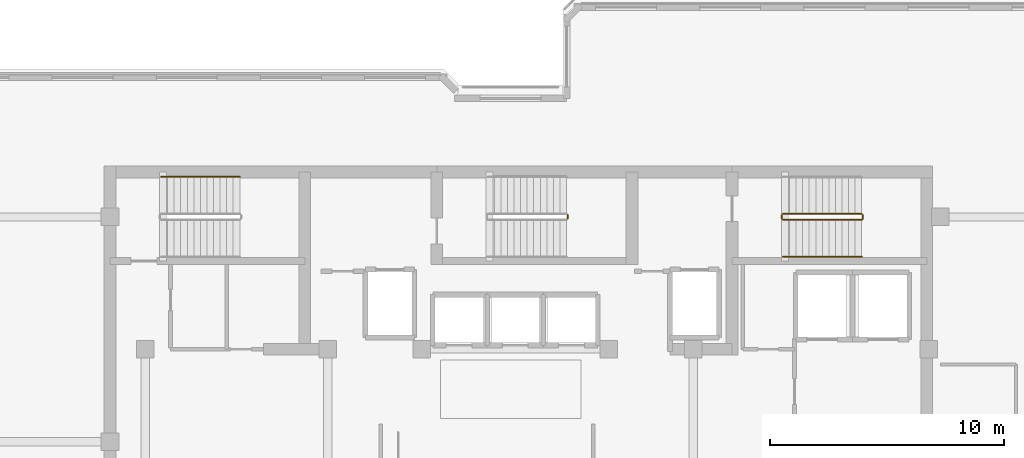
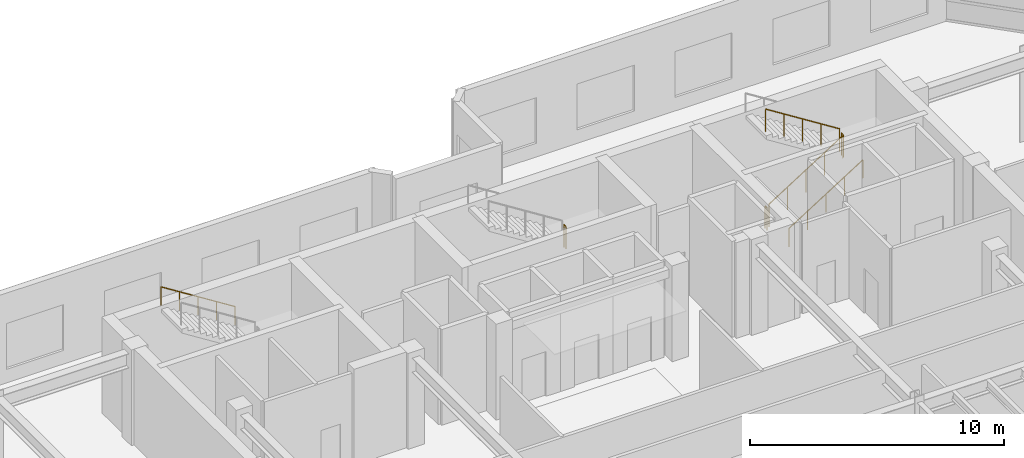
# One storey, part 13 of 14: 7 railings.
"""IFC4 building model written with IfcOpenShell, lengths in metres."""

from ifc_helpers import new_model, si_unit, direction, frame, origin, origin_2d, place, context, subcontext, project, spatial, circle, extrude, material, type_object, element, save


model = new_model("IFC4")

# Units and contexts
model_context = context("Model", 3, precision=1e-05, world=origin(), true_north=direction((0.0, 1.0)))
body_context = subcontext(model_context, "Body", "Model", "MODEL_VIEW")
ifc_project = project(units=[si_unit("LENGTHUNIT", "METRE"), si_unit("AREAUNIT", "SQUARE_METRE"), si_unit("VOLUMEUNIT", "CUBIC_METRE"), si_unit("PLANEANGLEUNIT", "RADIAN"), si_unit("MASSUNIT", "GRAM", prefix="KILO")], contexts=[model_context])

# Site, building, storey
site_placement = place(None, origin())
site = spatial("IfcSite", under=ifc_project, at=site_placement, CompositionType="ELEMENT")
building_placement = place(site_placement, origin())
building = spatial("IfcBuilding", under=site, at=building_placement, Name="Kestravale Grand Hotel", CompositionType="ELEMENT")
storey_placement = place(building_placement, frame((0.0, 0.0, 297.39990234375)))
storey = spatial("IfcBuildingStorey", under=building, at=storey_placement, Name="L74", CompositionType="ELEMENT", Elevation=297.39990234375)

# Railings
ifc_material_1 = material(Name="Painted tubular steel stair well guard", Category="steel")
railing_type_1 = type_object("IfcRailingType", Name="RL-ST-GRD1100", PredefinedType="GUARDRAIL", material=ifc_material_1)
railing_1_placement = place(storey_placement, frame((41.43994140625, 38.330078125, 2.300048828125)))
element("IfcRailing", 1, at=railing_1_placement, inside=storey, type_object=railing_type_1, Name="L74 ST-2 stair guard 2", PredefinedType="GUARDRAIL", context=body_context, shape_type="SweptSolid", body=[
    extrude(circle(Radius=0.02392578125, at=origin_2d()), frame((0.0, 0.0, 1.076171875), z_axis=(0.0, 1.0, 0.0), x_axis=(-1.0, 0.0, 0.0)), (0.0, 0.0, 1.0), 0.14990234375),
    extrude(circle(Radius=0.02099609375, at=origin_2d()), origin(), (0.0, 0.0, 1.0), 1.052001953125),
    extrude(circle(Radius=0.02099609375, at=origin_2d()), frame((0.0, 0.14990234375, 0.0)), (0.0, 0.0, 1.0), 1.052001953125),
])
railing_2_placement = place(storey_placement, frame((50.6298828125, 38.280029296875, 0.177001953125)))
element("IfcRailing", 2, at=railing_2_placement, inside=storey, type_object=railing_type_1, Name="L74 ST-3 stair guard 1", PredefinedType="GUARDRAIL", context=body_context, shape_type="SweptSolid", body=[
    extrude(circle(Radius=0.02392578125, at=origin_2d()), frame((0.0, 0.0, 1.076171875), z_axis=(0.845389635667, 0.0, 0.534150132366), x_axis=(0.0, 1.0, 0.0)), (0.0, 0.0, 1.0), 3.974609375),
    extrude(circle(Radius=0.02099609375, at=origin_2d()), origin(), (0.0, 0.0, 1.0), 1.052001953125),
    extrude(circle(Radius=0.02099609375, at=origin_2d()), frame((0.840087890625, 0.0, 0.53076171875)), (0.0, 0.0, 1.0), 1.052001953125),
    extrude(circle(Radius=0.02099609375, at=origin_2d()), frame((1.68017578125, 0.0, 1.0615234375)), (0.0, 0.0, 1.0), 1.052001953125),
    extrude(circle(Radius=0.02099609375, at=origin_2d()), frame((2.52001953125, 0.0, 1.59228515625)), (0.0, 0.0, 1.0), 1.052001953125),
    extrude(circle(Radius=0.02099609375, at=origin_2d()), frame((3.360107421875, 0.0, 2.123046875)), (0.0, 0.0, 1.0), 1.052001953125),
])
railing_3_placement = place(storey_placement, frame((54.0400390625, 38.330078125, 2.300048828125)))
element("IfcRailing", 3, at=railing_3_placement, inside=storey, type_object=railing_type_1, Name="L74 ST-3 stair guard 2", PredefinedType="GUARDRAIL", context=body_context, shape_type="SweptSolid", body=[
    extrude(circle(Radius=0.02392578125, at=origin_2d()), frame((0.0, 0.0, 1.076171875), z_axis=(0.0, 1.0, 0.0), x_axis=(-1.0, 0.0, 0.0)), (0.0, 0.0, 1.0), 0.14990234375),
    extrude(circle(Radius=0.02099609375, at=origin_2d()), origin(), (0.0, 0.0, 1.0), 1.052001953125),
    extrude(circle(Radius=0.02099609375, at=origin_2d()), frame((0.0, 0.14990234375, 0.0)), (0.0, 0.0, 1.0), 1.052001953125),
])
railing_4_placement = place(storey_placement, frame((53.989990234375, 38.530029296875, 2.47705078125)))
element("IfcRailing", 4, at=railing_4_placement, inside=storey, type_object=railing_type_1, Name="L74 ST-3 stair guard 3", PredefinedType="GUARDRAIL", context=body_context, shape_type="SweptSolid", body=[
    extrude(circle(Radius=0.02392578125, at=origin_2d()), frame((0.0, 0.0, 1.076171875), z_axis=(-0.845389635667, 0.0, 0.534150132366), x_axis=(0.0, -1.0, 0.0)), (0.0, 0.0, 1.0), 3.974609375),
    extrude(circle(Radius=0.02099609375, at=origin_2d()), origin(), (0.0, 0.0, 1.0), 1.052001953125),
    extrude(circle(Radius=0.02099609375, at=origin_2d()), frame((-0.840087890625, 0.0, 0.53076171875)), (0.0, 0.0, 1.0), 1.052001953125),
    extrude(circle(Radius=0.02099609375, at=origin_2d()), frame((-1.68017578125, 0.0, 1.0615234375)), (0.0, 0.0, 1.0), 1.052001953125),
    extrude(circle(Radius=0.02099609375, at=origin_2d()), frame((-2.52001953125, 0.0, 1.59228515625)), (0.0, 0.0, 1.0), 1.052001953125),
    extrude(circle(Radius=0.02099609375, at=origin_2d()), frame((-3.360107421875, 0.0, 2.123046875)), (0.0, 0.0, 1.0), 1.052001953125),
])
railing_5_placement = place(storey_placement, frame((50.580078125, 38.330078125, 0.0)))
element("IfcRailing", 5, at=railing_5_placement, inside=storey, type_object=railing_type_1, Name="L74 ST-3 stair guard 4", PredefinedType="GUARDRAIL", context=body_context, shape_type="SweptSolid", body=[
    extrude(circle(Radius=0.02392578125, at=origin_2d()), frame((0.0, 0.0, 1.076171875), z_axis=(0.0, 1.0, 0.0), x_axis=(-1.0, 0.0, 0.0)), (0.0, 0.0, 1.0), 0.14990234375),
    extrude(circle(Radius=0.02099609375, at=origin_2d()), origin(), (0.0, 0.0, 1.0), 1.052001953125),
    extrude(circle(Radius=0.02099609375, at=origin_2d()), frame((0.0, 0.14990234375, 0.0)), (0.0, 0.0, 1.0), 1.052001953125),
])
ifc_material_2 = material(Name="Brushed stainless steel wall handrail", Category="steel")
railing_type_2 = type_object("IfcRailingType", Name="RL-ST-HND900", PredefinedType="HANDRAIL", material=ifc_material_2)
railing_6_placement = place(storey_placement, frame((27.43994140625, 40.110107421875, 2.47705078125)))
element("IfcRailing", 6, at=railing_6_placement, inside=storey, type_object=railing_type_2, Name="L74 ST-1 stair handrail 2", PredefinedType="HANDRAIL", context=body_context, shape_type="SweptSolid", body=[
    extrude(circle(Radius=0.02392578125, at=origin_2d()), frame((0.0, 0.0, 0.8759765625), z_axis=(-0.845372108799, 0.0, 0.534177870812), x_axis=(0.0, -1.0, 0.0)), (0.0, 0.0, 1.0), 3.974365234375),
    extrude(circle(Radius=0.02099609375, at=origin_2d()), origin(), (0.0, 0.0, 1.0), 0.851806640625),
    extrude(circle(Radius=0.02099609375, at=origin_2d()), frame((-0.83984375, 0.0, 0.53076171875)), (0.0, 0.0, 1.0), 0.851806640625),
    extrude(circle(Radius=0.02099609375, at=origin_2d()), frame((-1.679931640625, 0.0, 1.0615234375)), (0.0, 0.0, 1.0), 0.851806640625),
    extrude(circle(Radius=0.02099609375, at=origin_2d()), frame((-2.52001953125, 0.0, 1.59228515625)), (0.0, 0.0, 1.0), 0.851806640625),
    extrude(circle(Radius=0.02099609375, at=origin_2d()), frame((-3.35986328125, 0.0, 2.123046875)), (0.0, 0.0, 1.0), 0.851806640625),
])
railing_7_placement = place(storey_placement, frame((50.6298828125, 36.699951171875, 0.177001953125)))
element("IfcRailing", 7, at=railing_7_placement, inside=storey, type_object=railing_type_2, Name="L74 ST-3 stair handrail 1", PredefinedType="HANDRAIL", context=body_context, shape_type="SweptSolid", body=[
    extrude(circle(Radius=0.02392578125, at=origin_2d()), frame((0.0, 0.0, 0.8759765625), z_axis=(0.845389635667, 0.0, 0.534150132366), x_axis=(0.0, 1.0, 0.0)), (0.0, 0.0, 1.0), 3.974609375),
    extrude(circle(Radius=0.02099609375, at=origin_2d()), origin(), (0.0, 0.0, 1.0), 0.851806640625),
    extrude(circle(Radius=0.02099609375, at=origin_2d()), frame((0.840087890625, 0.0, 0.53076171875)), (0.0, 0.0, 1.0), 0.851806640625),
    extrude(circle(Radius=0.02099609375, at=origin_2d()), frame((1.68017578125, 0.0, 1.0615234375)), (0.0, 0.0, 1.0), 0.851806640625),
    extrude(circle(Radius=0.02099609375, at=origin_2d()), frame((2.52001953125, 0.0, 1.59228515625)), (0.0, 0.0, 1.0), 0.851806640625),
    extrude(circle(Radius=0.02099609375, at=origin_2d()), frame((3.360107421875, 0.0, 2.123046875)), (0.0, 0.0, 1.0), 0.851806640625),
])

save(model, "model.ifc")
